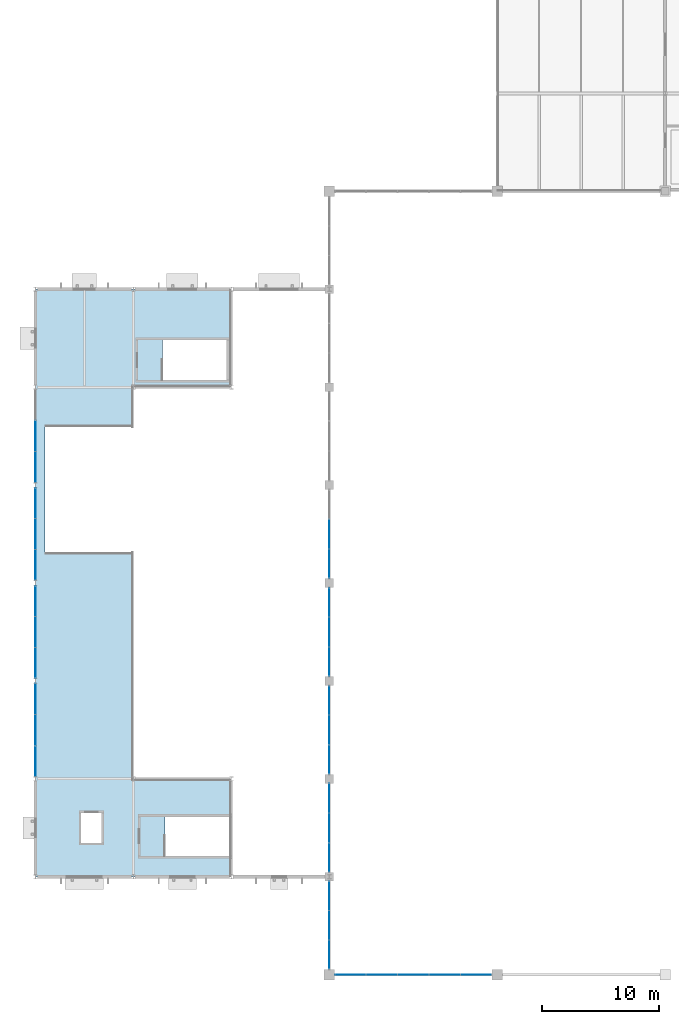
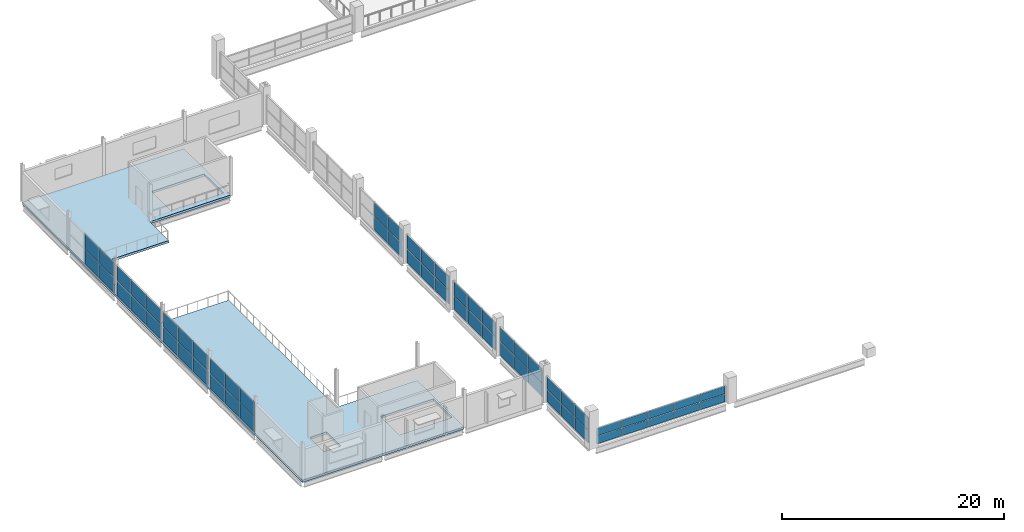
# One storey, part 53 of 68: 60 plates, 1 slab, 10 elements without a shape of their own.
"""IFC4 building model written with IfcOpenShell, lengths in metres."""

from ifc_helpers import new_model, si_unit, direction, frame, origin, origin_2d, place, context, subcontext, project, spatial, polyline, rectangle, outline, extrude, material, layer, layer_set, type_object, element, aggregate, save


model = new_model("IFC4")

# Units and contexts
model_context = context("Model", 3, precision=1e-05, world=origin(), true_north=direction((0.0, 1.0)))
body_context = subcontext(model_context, "Body", "Model", "MODEL_VIEW")
ifc_project = project(units=[si_unit("LENGTHUNIT", "METRE"), si_unit("AREAUNIT", "SQUARE_METRE"), si_unit("VOLUMEUNIT", "CUBIC_METRE"), si_unit("PLANEANGLEUNIT", "RADIAN"), si_unit("MASSUNIT", "GRAM", prefix="KILO"), si_unit("THERMODYNAMICTEMPERATUREUNIT", "KELVIN")], contexts=[model_context])

# Site, building, storey
site_placement = place(None, origin())
site = spatial("IfcSite", under=ifc_project, at=site_placement, CompositionType="ELEMENT")
building_placement = place(site_placement, origin())
building = spatial("IfcBuilding", under=site, at=building_placement, Name="Nduvali Passage Aquatics Centre", CompositionType="ELEMENT")
storey_placement = place(building_placement, frame((0.0, 0.0, 13.199951171875)))
storey = spatial("IfcBuildingStorey", under=building, at=storey_placement, Name="L03", CompositionType="ELEMENT", Elevation=13.199951171875)

# Curtain wall, plates
ifc_material_1 = material(Name="Aluminium EN AW-6063 T6", Category="aluminium")
curtain_wall_type_1 = type_object("IfcCurtainWallType", Name="ENV-CW-CLER", PredefinedType="NOTDEFINED", material=ifc_material_1)
curtain_wall_1_placement = place(storey_placement, origin())
curtain_wall_1 = element("IfcCurtainWall", 1, at=curtain_wall_1_placement, inside=storey, type_object=curtain_wall_type_1, Name="L03 West Pool Hall High Arch Clerestory 004", PredefinedType="NOTDEFINED")
ifc_material_2 = material(Name="Laminated solar-control low-E IGU")
ifc_layer_1 = layer(ifc_material_2, 0.031982421875, Name="Laminated solar-control low-E IGU")
ifc_layer_set_1 = layer_set([ifc_layer_1], Name="Laminated solar-control low-E IGU")
plate_type = type_object("IfcPlateType", Name="ENV-PLT-GLZ32", PredefinedType="CURTAIN_PANEL", material=ifc_layer_set_1)
plate_1_placement = place(storey_placement, frame((25.199951171875, 26.927490234375, 0.06005859375), z_axis=(0.0, 0.0, 1.0), x_axis=(0.0, 1.0, 0.0)))
plate_1 = element("IfcPlate", 2, at=plate_1_placement, type_object=plate_type, Name="West Pool Hall High Arch Clerestory Glazed Panel B1-R1", PredefinedType="CURTAIN_PANEL", context=body_context, shape_type="SweptSolid", body=[
    extrude(rectangle(XDim=2.43505859375, YDim=0.031982421875, at=origin_2d()), origin(), (0.0, 0.0, 1.0), 1.360107421875),
])
plate_2_placement = place(storey_placement, frame((25.199951171875, 26.927490234375, 1.47998046875), z_axis=(0.0, 0.0, 1.0), x_axis=(0.0, 1.0, 0.0)))
plate_2 = element("IfcPlate", 3, at=plate_2_placement, type_object=plate_type, Name="West Pool Hall High Arch Clerestory Glazed Panel B1-R2", PredefinedType="CURTAIN_PANEL", context=body_context, shape_type="SweptSolid", body=[
    extrude(rectangle(XDim=2.43505859375, YDim=0.031982421875, at=origin_2d()), origin(), (0.0, 0.0, 1.0), 1.360107421875),
])
plate_3_placement = place(storey_placement, frame((25.199951171875, 29.4375, 0.06005859375), z_axis=(0.0, 0.0, 1.0), x_axis=(0.0, 1.0, 0.0)))
plate_3 = element("IfcPlate", 4, at=plate_3_placement, type_object=plate_type, Name="West Pool Hall High Arch Clerestory Glazed Panel B2-R1", PredefinedType="CURTAIN_PANEL", context=body_context, shape_type="SweptSolid", body=[
    extrude(rectangle(XDim=2.465087890625, YDim=0.031982421875, at=origin_2d()), origin(), (0.0, 0.0, 1.0), 1.360107421875),
])
plate_4_placement = place(storey_placement, frame((25.199951171875, 29.4375, 1.47998046875), z_axis=(0.0, 0.0, 1.0), x_axis=(0.0, 1.0, 0.0)))
plate_4 = element("IfcPlate", 5, at=plate_4_placement, type_object=plate_type, Name="West Pool Hall High Arch Clerestory Glazed Panel B2-R2", PredefinedType="CURTAIN_PANEL", context=body_context, shape_type="SweptSolid", body=[
    extrude(rectangle(XDim=2.465087890625, YDim=0.031982421875, at=origin_2d()), origin(), (0.0, 0.0, 1.0), 1.360107421875),
])
plate_5_placement = place(storey_placement, frame((25.199951171875, 31.947509765625, 0.06005859375), z_axis=(0.0, 0.0, 1.0), x_axis=(0.0, 1.0, 0.0)))
plate_5 = element("IfcPlate", 6, at=plate_5_placement, type_object=plate_type, Name="West Pool Hall High Arch Clerestory Glazed Panel B3-R1", PredefinedType="CURTAIN_PANEL", context=body_context, shape_type="SweptSolid", body=[
    extrude(rectangle(XDim=2.43505859375, YDim=0.031982421875, at=origin_2d()), origin(), (0.0, 0.0, 1.0), 1.360107421875),
])
plate_6_placement = place(storey_placement, frame((25.199951171875, 31.947509765625, 1.47998046875), z_axis=(0.0, 0.0, 1.0), x_axis=(0.0, 1.0, 0.0)))
plate_6 = element("IfcPlate", 7, at=plate_6_placement, type_object=plate_type, Name="West Pool Hall High Arch Clerestory Glazed Panel B3-R2", PredefinedType="CURTAIN_PANEL", context=body_context, shape_type="SweptSolid", body=[
    extrude(rectangle(XDim=2.43505859375, YDim=0.031982421875, at=origin_2d()), origin(), (0.0, 0.0, 1.0), 1.360107421875),
])
aggregate(curtain_wall_1, [plate_1, plate_2, plate_3, plate_4, plate_5, plate_6])

curtain_wall_2_placement = place(storey_placement, origin())
curtain_wall_2 = element("IfcCurtainWall", 8, at=curtain_wall_2_placement, inside=storey, type_object=curtain_wall_type_1, Name="L03 West Pool Hall Upper Clerestory 005", PredefinedType="NOTDEFINED")
plate_7_placement = place(storey_placement, frame((25.199951171875, 35.264892578125, 0.06005859375), z_axis=(0.0, 0.0, 1.0), x_axis=(0.0, 1.0, 0.0)))
plate_7 = element("IfcPlate", 9, at=plate_7_placement, type_object=plate_type, Name="West Pool Hall Upper Clerestory Glazed Panel B1-R1", PredefinedType="CURTAIN_PANEL", context=body_context, shape_type="SweptSolid", body=[
    extrude(rectangle(XDim=2.4599609375, YDim=0.031982421875, at=origin_2d()), origin(), (0.0, 0.0, 1.0), 1.510009765625),
])
plate_8_placement = place(storey_placement, frame((25.199951171875, 35.264892578125, 1.6298828125), z_axis=(0.0, 0.0, 1.0), x_axis=(0.0, 1.0, 0.0)))
plate_8 = element("IfcPlate", 10, at=plate_8_placement, type_object=plate_type, Name="West Pool Hall Upper Clerestory Glazed Panel B1-R2", PredefinedType="CURTAIN_PANEL", context=body_context, shape_type="SweptSolid", body=[
    extrude(rectangle(XDim=2.4599609375, YDim=0.031982421875, at=origin_2d()), origin(), (0.0, 0.0, 1.0), 1.510009765625),
])
plate_9_placement = place(storey_placement, frame((25.199951171875, 37.800048828125, 0.06005859375), z_axis=(0.0, 0.0, 1.0), x_axis=(0.0, 1.0, 0.0)))
plate_9 = element("IfcPlate", 11, at=plate_9_placement, type_object=plate_type, Name="West Pool Hall Upper Clerestory Glazed Panel B2-R1", PredefinedType="CURTAIN_PANEL", context=body_context, shape_type="SweptSolid", body=[
    extrude(rectangle(XDim=2.489990234375, YDim=0.031982421875, at=origin_2d()), origin(), (0.0, 0.0, 1.0), 1.510009765625),
])
plate_10_placement = place(storey_placement, frame((25.199951171875, 37.800048828125, 1.6298828125), z_axis=(0.0, 0.0, 1.0), x_axis=(0.0, 1.0, 0.0)))
plate_10 = element("IfcPlate", 12, at=plate_10_placement, type_object=plate_type, Name="West Pool Hall Upper Clerestory Glazed Panel B2-R2", PredefinedType="CURTAIN_PANEL", context=body_context, shape_type="SweptSolid", body=[
    extrude(rectangle(XDim=2.489990234375, YDim=0.031982421875, at=origin_2d()), origin(), (0.0, 0.0, 1.0), 1.510009765625),
])
plate_11_placement = place(storey_placement, frame((25.199951171875, 40.3349609375, 0.06005859375), z_axis=(0.0, 0.0, 1.0), x_axis=(0.0, 1.0, 0.0)))
plate_11 = element("IfcPlate", 13, at=plate_11_placement, type_object=plate_type, Name="West Pool Hall Upper Clerestory Glazed Panel B3-R1", PredefinedType="CURTAIN_PANEL", context=body_context, shape_type="SweptSolid", body=[
    extrude(rectangle(XDim=2.4599609375, YDim=0.031982421875, at=origin_2d()), origin(), (0.0, 0.0, 1.0), 1.510009765625),
])
plate_12_placement = place(storey_placement, frame((25.199951171875, 40.3349609375, 1.6298828125), z_axis=(0.0, 0.0, 1.0), x_axis=(0.0, 1.0, 0.0)))
plate_12 = element("IfcPlate", 14, at=plate_12_placement, type_object=plate_type, Name="West Pool Hall Upper Clerestory Glazed Panel B3-R2", PredefinedType="CURTAIN_PANEL", context=body_context, shape_type="SweptSolid", body=[
    extrude(rectangle(XDim=2.4599609375, YDim=0.031982421875, at=origin_2d()), origin(), (0.0, 0.0, 1.0), 1.510009765625),
])
aggregate(curtain_wall_2, [plate_7, plate_8, plate_9, plate_10, plate_11, plate_12])

curtain_wall_3_placement = place(storey_placement, origin())
curtain_wall_3 = element("IfcCurtainWall", 15, at=curtain_wall_3_placement, inside=storey, type_object=curtain_wall_type_1, Name="L03 West Pool Hall Upper Clerestory 006", PredefinedType="NOTDEFINED")
plate_13_placement = place(storey_placement, frame((25.199951171875, 43.6650390625, 0.06005859375), z_axis=(0.0, 0.0, 1.0), x_axis=(0.0, 1.0, 0.0)))
plate_13 = element("IfcPlate", 16, at=plate_13_placement, type_object=plate_type, Name="West Pool Hall Upper Clerestory Glazed Panel B1-R1", PredefinedType="CURTAIN_PANEL", context=body_context, shape_type="SweptSolid", body=[
    extrude(rectangle(XDim=2.4599609375, YDim=0.031982421875, at=origin_2d()), origin(), (0.0, 0.0, 1.0), 1.510009765625),
])
plate_14_placement = place(storey_placement, frame((25.199951171875, 43.6650390625, 1.6298828125), z_axis=(0.0, 0.0, 1.0), x_axis=(0.0, 1.0, 0.0)))
plate_14 = element("IfcPlate", 17, at=plate_14_placement, type_object=plate_type, Name="West Pool Hall Upper Clerestory Glazed Panel B1-R2", PredefinedType="CURTAIN_PANEL", context=body_context, shape_type="SweptSolid", body=[
    extrude(rectangle(XDim=2.4599609375, YDim=0.031982421875, at=origin_2d()), origin(), (0.0, 0.0, 1.0), 1.510009765625),
])
plate_15_placement = place(storey_placement, frame((25.199951171875, 46.199951171875, 0.06005859375), z_axis=(0.0, 0.0, 1.0), x_axis=(0.0, 1.0, 0.0)))
plate_15 = element("IfcPlate", 18, at=plate_15_placement, type_object=plate_type, Name="West Pool Hall Upper Clerestory Glazed Panel B2-R1", PredefinedType="CURTAIN_PANEL", context=body_context, shape_type="SweptSolid", body=[
    extrude(rectangle(XDim=2.489990234375, YDim=0.031982421875, at=origin_2d()), origin(), (0.0, 0.0, 1.0), 1.510009765625),
])
plate_16_placement = place(storey_placement, frame((25.199951171875, 46.199951171875, 1.6298828125), z_axis=(0.0, 0.0, 1.0), x_axis=(0.0, 1.0, 0.0)))
plate_16 = element("IfcPlate", 19, at=plate_16_placement, type_object=plate_type, Name="West Pool Hall Upper Clerestory Glazed Panel B2-R2", PredefinedType="CURTAIN_PANEL", context=body_context, shape_type="SweptSolid", body=[
    extrude(rectangle(XDim=2.489990234375, YDim=0.031982421875, at=origin_2d()), origin(), (0.0, 0.0, 1.0), 1.510009765625),
])
plate_17_placement = place(storey_placement, frame((25.199951171875, 48.735107421875, 0.06005859375), z_axis=(0.0, 0.0, 1.0), x_axis=(0.0, 1.0, 0.0)))
plate_17 = element("IfcPlate", 20, at=plate_17_placement, type_object=plate_type, Name="West Pool Hall Upper Clerestory Glazed Panel B3-R1", PredefinedType="CURTAIN_PANEL", context=body_context, shape_type="SweptSolid", body=[
    extrude(rectangle(XDim=2.4599609375, YDim=0.031982421875, at=origin_2d()), origin(), (0.0, 0.0, 1.0), 1.510009765625),
])
plate_18_placement = place(storey_placement, frame((25.199951171875, 48.735107421875, 1.6298828125), z_axis=(0.0, 0.0, 1.0), x_axis=(0.0, 1.0, 0.0)))
plate_18 = element("IfcPlate", 21, at=plate_18_placement, type_object=plate_type, Name="West Pool Hall Upper Clerestory Glazed Panel B3-R2", PredefinedType="CURTAIN_PANEL", context=body_context, shape_type="SweptSolid", body=[
    extrude(rectangle(XDim=2.4599609375, YDim=0.031982421875, at=origin_2d()), origin(), (0.0, 0.0, 1.0), 1.510009765625),
])
aggregate(curtain_wall_3, [plate_13, plate_14, plate_15, plate_16, plate_17, plate_18])

curtain_wall_4_placement = place(storey_placement, origin())
curtain_wall_4 = element("IfcCurtainWall", 22, at=curtain_wall_4_placement, inside=storey, type_object=curtain_wall_type_1, Name="L03 West Pool Hall Upper Clerestory 007", PredefinedType="NOTDEFINED")
plate_19_placement = place(storey_placement, frame((25.199951171875, 52.06494140625, 0.06005859375), z_axis=(0.0, 0.0, 1.0), x_axis=(0.0, 1.0, 0.0)))
plate_19 = element("IfcPlate", 23, at=plate_19_placement, type_object=plate_type, Name="West Pool Hall Upper Clerestory Glazed Panel B1-R1", PredefinedType="CURTAIN_PANEL", context=body_context, shape_type="SweptSolid", body=[
    extrude(rectangle(XDim=2.4599609375, YDim=0.031982421875, at=origin_2d()), origin(), (0.0, 0.0, 1.0), 1.510009765625),
])
plate_20_placement = place(storey_placement, frame((25.199951171875, 52.06494140625, 1.6298828125), z_axis=(0.0, 0.0, 1.0), x_axis=(0.0, 1.0, 0.0)))
plate_20 = element("IfcPlate", 24, at=plate_20_placement, type_object=plate_type, Name="West Pool Hall Upper Clerestory Glazed Panel B1-R2", PredefinedType="CURTAIN_PANEL", context=body_context, shape_type="SweptSolid", body=[
    extrude(rectangle(XDim=2.4599609375, YDim=0.031982421875, at=origin_2d()), origin(), (0.0, 0.0, 1.0), 1.510009765625),
])
plate_21_placement = place(storey_placement, frame((25.199951171875, 54.60009765625, 0.06005859375), z_axis=(0.0, 0.0, 1.0), x_axis=(0.0, 1.0, 0.0)))
plate_21 = element("IfcPlate", 25, at=plate_21_placement, type_object=plate_type, Name="West Pool Hall Upper Clerestory Glazed Panel B2-R1", PredefinedType="CURTAIN_PANEL", context=body_context, shape_type="SweptSolid", body=[
    extrude(rectangle(XDim=2.489990234375, YDim=0.031982421875, at=origin_2d()), origin(), (0.0, 0.0, 1.0), 1.510009765625),
])
plate_22_placement = place(storey_placement, frame((25.199951171875, 54.60009765625, 1.6298828125), z_axis=(0.0, 0.0, 1.0), x_axis=(0.0, 1.0, 0.0)))
plate_22 = element("IfcPlate", 26, at=plate_22_placement, type_object=plate_type, Name="West Pool Hall Upper Clerestory Glazed Panel B2-R2", PredefinedType="CURTAIN_PANEL", context=body_context, shape_type="SweptSolid", body=[
    extrude(rectangle(XDim=2.489990234375, YDim=0.031982421875, at=origin_2d()), origin(), (0.0, 0.0, 1.0), 1.510009765625),
])
plate_23_placement = place(storey_placement, frame((25.199951171875, 57.135009765625, 0.06005859375), z_axis=(0.0, 0.0, 1.0), x_axis=(0.0, 1.0, 0.0)))
plate_23 = element("IfcPlate", 27, at=plate_23_placement, type_object=plate_type, Name="West Pool Hall Upper Clerestory Glazed Panel B3-R1", PredefinedType="CURTAIN_PANEL", context=body_context, shape_type="SweptSolid", body=[
    extrude(rectangle(XDim=2.4599609375, YDim=0.031982421875, at=origin_2d()), origin(), (0.0, 0.0, 1.0), 1.510009765625),
])
plate_24_placement = place(storey_placement, frame((25.199951171875, 57.135009765625, 1.6298828125), z_axis=(0.0, 0.0, 1.0), x_axis=(0.0, 1.0, 0.0)))
plate_24 = element("IfcPlate", 28, at=plate_24_placement, type_object=plate_type, Name="West Pool Hall Upper Clerestory Glazed Panel B3-R2", PredefinedType="CURTAIN_PANEL", context=body_context, shape_type="SweptSolid", body=[
    extrude(rectangle(XDim=2.4599609375, YDim=0.031982421875, at=origin_2d()), origin(), (0.0, 0.0, 1.0), 1.510009765625),
])
aggregate(curtain_wall_4, [plate_19, plate_20, plate_21, plate_22, plate_23, plate_24])

curtain_wall_5_placement = place(storey_placement, origin())
curtain_wall_5 = element("IfcCurtainWall", 29, at=curtain_wall_5_placement, inside=storey, type_object=curtain_wall_type_1, Name="L03 West Pool Hall Upper Clerestory 008", PredefinedType="NOTDEFINED")
plate_25_placement = place(storey_placement, frame((25.199951171875, 60.465087890625, 0.06005859375), z_axis=(0.0, 0.0, 1.0), x_axis=(0.0, 1.0, 0.0)))
plate_25 = element("IfcPlate", 30, at=plate_25_placement, type_object=plate_type, Name="West Pool Hall Upper Clerestory Glazed Panel B1-R1", PredefinedType="CURTAIN_PANEL", context=body_context, shape_type="SweptSolid", body=[
    extrude(rectangle(XDim=2.4599609375, YDim=0.031982421875, at=origin_2d()), origin(), (0.0, 0.0, 1.0), 1.510009765625),
])
plate_26_placement = place(storey_placement, frame((25.199951171875, 60.465087890625, 1.6298828125), z_axis=(0.0, 0.0, 1.0), x_axis=(0.0, 1.0, 0.0)))
plate_26 = element("IfcPlate", 31, at=plate_26_placement, type_object=plate_type, Name="West Pool Hall Upper Clerestory Glazed Panel B1-R2", PredefinedType="CURTAIN_PANEL", context=body_context, shape_type="SweptSolid", body=[
    extrude(rectangle(XDim=2.4599609375, YDim=0.031982421875, at=origin_2d()), origin(), (0.0, 0.0, 1.0), 1.510009765625),
])
plate_27_placement = place(storey_placement, frame((25.199951171875, 63.0, 0.06005859375), z_axis=(0.0, 0.0, 1.0), x_axis=(0.0, 1.0, 0.0)))
plate_27 = element("IfcPlate", 32, at=plate_27_placement, type_object=plate_type, Name="West Pool Hall Upper Clerestory Glazed Panel B2-R1", PredefinedType="CURTAIN_PANEL", context=body_context, shape_type="SweptSolid", body=[
    extrude(rectangle(XDim=2.489990234375, YDim=0.031982421875, at=origin_2d()), origin(), (0.0, 0.0, 1.0), 1.510009765625),
])
plate_28_placement = place(storey_placement, frame((25.199951171875, 63.0, 1.6298828125), z_axis=(0.0, 0.0, 1.0), x_axis=(0.0, 1.0, 0.0)))
plate_28 = element("IfcPlate", 33, at=plate_28_placement, type_object=plate_type, Name="West Pool Hall Upper Clerestory Glazed Panel B2-R2", PredefinedType="CURTAIN_PANEL", context=body_context, shape_type="SweptSolid", body=[
    extrude(rectangle(XDim=2.489990234375, YDim=0.031982421875, at=origin_2d()), origin(), (0.0, 0.0, 1.0), 1.510009765625),
])
aggregate(curtain_wall_5, [plate_25, plate_26, plate_27, plate_28])

curtain_wall_6_placement = place(storey_placement, origin())
curtain_wall_6 = element("IfcCurtainWall", 34, at=curtain_wall_6_placement, inside=storey, type_object=curtain_wall_type_1, Name="L03 South Pool Hall High Eave Clerestory 046", PredefinedType="NOTDEFINED")
plate_29_placement = place(storey_placement, frame((27.014892578125, 25.199951171875, 0.06005859375), z_axis=(0.0, 0.0, 1.0), x_axis=(1.0, 0.0, 0.0)))
plate_29 = element("IfcPlate", 35, at=plate_29_placement, type_object=plate_type, Name="South Pool Hall High Eave Clerestory Glazed Panel B1-R1", PredefinedType="CURTAIN_PANEL", context=body_context, shape_type="SweptSolid", body=[
    extrude(rectangle(XDim=2.610107421875, YDim=0.031982421875, at=origin_2d()), origin(), (0.0, 0.0, 1.0), 0.820556640625),
])
plate_30_placement = place(storey_placement, frame((27.014892578125, 25.199951171875, 0.9404296875), z_axis=(0.0, 0.0, 1.0), x_axis=(1.0, 0.0, 0.0)))
plate_30 = element("IfcPlate", 36, at=plate_30_placement, type_object=plate_type, Name="South Pool Hall High Eave Clerestory Glazed Panel B1-R2", PredefinedType="CURTAIN_PANEL", context=body_context, shape_type="SweptSolid", body=[
    extrude(rectangle(XDim=2.610107421875, YDim=0.031982421875, at=origin_2d()), origin(), (0.0, 0.0, 1.0), 0.820556640625),
])
plate_31_placement = place(storey_placement, frame((29.699951171875, 25.199951171875, 0.06005859375), z_axis=(0.0, 0.0, 1.0), x_axis=(1.0, 0.0, 0.0)))
plate_31 = element("IfcPlate", 37, at=plate_31_placement, type_object=plate_type, Name="South Pool Hall High Eave Clerestory Glazed Panel B2-R1", PredefinedType="CURTAIN_PANEL", context=body_context, shape_type="SweptSolid", body=[
    extrude(rectangle(XDim=2.639892578125, YDim=0.031982421875, at=origin_2d()), origin(), (0.0, 0.0, 1.0), 0.820556640625),
])
plate_32_placement = place(storey_placement, frame((29.699951171875, 25.199951171875, 0.9404296875), z_axis=(0.0, 0.0, 1.0), x_axis=(1.0, 0.0, 0.0)))
plate_32 = element("IfcPlate", 38, at=plate_32_placement, type_object=plate_type, Name="South Pool Hall High Eave Clerestory Glazed Panel B2-R2", PredefinedType="CURTAIN_PANEL", context=body_context, shape_type="SweptSolid", body=[
    extrude(rectangle(XDim=2.639892578125, YDim=0.031982421875, at=origin_2d()), origin(), (0.0, 0.0, 1.0), 0.820556640625),
])
plate_33_placement = place(storey_placement, frame((32.39990234375, 25.199951171875, 0.06005859375), z_axis=(0.0, 0.0, 1.0), x_axis=(1.0, 0.0, 0.0)))
plate_33 = element("IfcPlate", 39, at=plate_33_placement, type_object=plate_type, Name="South Pool Hall High Eave Clerestory Glazed Panel B3-R1", PredefinedType="CURTAIN_PANEL", context=body_context, shape_type="SweptSolid", body=[
    extrude(rectangle(XDim=2.639892578125, YDim=0.031982421875, at=origin_2d()), origin(), (0.0, 0.0, 1.0), 0.820556640625),
])
plate_34_placement = place(storey_placement, frame((32.39990234375, 25.199951171875, 0.9404296875), z_axis=(0.0, 0.0, 1.0), x_axis=(1.0, 0.0, 0.0)))
plate_34 = element("IfcPlate", 40, at=plate_34_placement, type_object=plate_type, Name="South Pool Hall High Eave Clerestory Glazed Panel B3-R2", PredefinedType="CURTAIN_PANEL", context=body_context, shape_type="SweptSolid", body=[
    extrude(rectangle(XDim=2.639892578125, YDim=0.031982421875, at=origin_2d()), origin(), (0.0, 0.0, 1.0), 0.820556640625),
])
plate_35_placement = place(storey_placement, frame((35.10009765625, 25.199951171875, 0.06005859375), z_axis=(0.0, 0.0, 1.0), x_axis=(1.0, 0.0, 0.0)))
plate_35 = element("IfcPlate", 41, at=plate_35_placement, type_object=plate_type, Name="South Pool Hall High Eave Clerestory Glazed Panel B4-R1", PredefinedType="CURTAIN_PANEL", context=body_context, shape_type="SweptSolid", body=[
    extrude(rectangle(XDim=2.639892578125, YDim=0.031982421875, at=origin_2d()), origin(), (0.0, 0.0, 1.0), 0.820556640625),
])
plate_36_placement = place(storey_placement, frame((35.10009765625, 25.199951171875, 0.9404296875), z_axis=(0.0, 0.0, 1.0), x_axis=(1.0, 0.0, 0.0)))
plate_36 = element("IfcPlate", 42, at=plate_36_placement, type_object=plate_type, Name="South Pool Hall High Eave Clerestory Glazed Panel B4-R2", PredefinedType="CURTAIN_PANEL", context=body_context, shape_type="SweptSolid", body=[
    extrude(rectangle(XDim=2.639892578125, YDim=0.031982421875, at=origin_2d()), origin(), (0.0, 0.0, 1.0), 0.820556640625),
])
plate_37_placement = place(storey_placement, frame((37.784912109375, 25.199951171875, 0.06005859375), z_axis=(0.0, 0.0, 1.0), x_axis=(1.0, 0.0, 0.0)))
plate_37 = element("IfcPlate", 43, at=plate_37_placement, type_object=plate_type, Name="South Pool Hall High Eave Clerestory Glazed Panel B5-R1", PredefinedType="CURTAIN_PANEL", context=body_context, shape_type="SweptSolid", body=[
    extrude(rectangle(XDim=2.610107421875, YDim=0.031982421875, at=origin_2d()), origin(), (0.0, 0.0, 1.0), 0.820556640625),
])
plate_38_placement = place(storey_placement, frame((37.784912109375, 25.199951171875, 0.9404296875), z_axis=(0.0, 0.0, 1.0), x_axis=(1.0, 0.0, 0.0)))
plate_38 = element("IfcPlate", 44, at=plate_38_placement, type_object=plate_type, Name="South Pool Hall High Eave Clerestory Glazed Panel B5-R2", PredefinedType="CURTAIN_PANEL", context=body_context, shape_type="SweptSolid", body=[
    extrude(rectangle(XDim=2.610107421875, YDim=0.031982421875, at=origin_2d()), origin(), (0.0, 0.0, 1.0), 0.820556640625),
])
aggregate(curtain_wall_6, [plate_29, plate_30, plate_31, plate_32, plate_33, plate_34, plate_35, plate_36, plate_37, plate_38])

curtain_wall_type_2 = type_object("IfcCurtainWallType", Name="ENV-CW-DIVE", PredefinedType="NOTDEFINED", material=ifc_material_1)
curtain_wall_7_placement = place(storey_placement, origin())
curtain_wall_7 = element("IfcCurtainWall", 45, at=curtain_wall_7_placement, inside=storey, type_object=curtain_wall_type_2, Name="L03 West Diving 10m Tower Clerestory CW 130", PredefinedType="NOTDEFINED")
plate_39_placement = place(storey_placement, frame((0.0, 43.523193359375, 0.06005859375), z_axis=(0.0, 0.0, 1.0), x_axis=(0.0, 1.0, 0.0)))
plate_39 = element("IfcPlate", 46, at=plate_39_placement, type_object=plate_type, Name="West Diving 10m Tower Clerestory CW Glazed Panel B1-R1", PredefinedType="CURTAIN_PANEL", context=body_context, shape_type="SweptSolid", body=[
    extrude(rectangle(XDim=2.586669921875, YDim=0.031982421875, at=origin_2d()), origin(), (0.0, 0.0, 1.0), 1.623291015625),
])
plate_40_placement = place(storey_placement, frame((0.0, 43.523193359375, 1.7431640625), z_axis=(0.0, 0.0, 1.0), x_axis=(0.0, 1.0, 0.0)))
plate_40 = element("IfcPlate", 47, at=plate_40_placement, type_object=plate_type, Name="West Diving 10m Tower Clerestory CW Glazed Panel B1-R2", PredefinedType="CURTAIN_PANEL", context=body_context, shape_type="SweptSolid", body=[
    extrude(rectangle(XDim=2.586669921875, YDim=0.031982421875, at=origin_2d()), origin(), (0.0, 0.0, 1.0), 1.623291015625),
])
plate_41_placement = place(storey_placement, frame((0.0, 46.18505859375, 0.06005859375), z_axis=(0.0, 0.0, 1.0), x_axis=(0.0, 1.0, 0.0)))
plate_41 = element("IfcPlate", 48, at=plate_41_placement, type_object=plate_type, Name="West Diving 10m Tower Clerestory CW Glazed Panel B2-R1", PredefinedType="CURTAIN_PANEL", context=body_context, shape_type="SweptSolid", body=[
    extrude(rectangle(XDim=2.61669921875, YDim=0.031982421875, at=origin_2d()), origin(), (0.0, 0.0, 1.0), 1.623291015625),
])
plate_42_placement = place(storey_placement, frame((0.0, 46.18505859375, 1.7431640625), z_axis=(0.0, 0.0, 1.0), x_axis=(0.0, 1.0, 0.0)))
plate_42 = element("IfcPlate", 49, at=plate_42_placement, type_object=plate_type, Name="West Diving 10m Tower Clerestory CW Glazed Panel B2-R2", PredefinedType="CURTAIN_PANEL", context=body_context, shape_type="SweptSolid", body=[
    extrude(rectangle(XDim=2.61669921875, YDim=0.031982421875, at=origin_2d()), origin(), (0.0, 0.0, 1.0), 1.623291015625),
])
plate_43_placement = place(storey_placement, frame((0.0, 48.8466796875, 0.06005859375), z_axis=(0.0, 0.0, 1.0), x_axis=(0.0, 1.0, 0.0)))
plate_43 = element("IfcPlate", 50, at=plate_43_placement, type_object=plate_type, Name="West Diving 10m Tower Clerestory CW Glazed Panel B3-R1", PredefinedType="CURTAIN_PANEL", context=body_context, shape_type="SweptSolid", body=[
    extrude(rectangle(XDim=2.586669921875, YDim=0.031982421875, at=origin_2d()), origin(), (0.0, 0.0, 1.0), 1.623291015625),
])
plate_44_placement = place(storey_placement, frame((0.0, 48.8466796875, 1.7431640625), z_axis=(0.0, 0.0, 1.0), x_axis=(0.0, 1.0, 0.0)))
plate_44 = element("IfcPlate", 51, at=plate_44_placement, type_object=plate_type, Name="West Diving 10m Tower Clerestory CW Glazed Panel B3-R2", PredefinedType="CURTAIN_PANEL", context=body_context, shape_type="SweptSolid", body=[
    extrude(rectangle(XDim=2.586669921875, YDim=0.031982421875, at=origin_2d()), origin(), (0.0, 0.0, 1.0), 1.623291015625),
])
aggregate(curtain_wall_7, [plate_39, plate_40, plate_41, plate_42, plate_43, plate_44])

curtain_wall_8_placement = place(storey_placement, origin())
curtain_wall_8 = element("IfcCurtainWall", 52, at=curtain_wall_8_placement, inside=storey, type_object=curtain_wall_type_2, Name="L03 West Diving 10m Tower Clerestory CW 135", PredefinedType="NOTDEFINED")
plate_45_placement = place(storey_placement, frame((0.0, 51.9482421875, 0.06005859375), z_axis=(0.0, 0.0, 1.0), x_axis=(0.0, 1.0, 0.0)))
plate_45 = element("IfcPlate", 53, at=plate_45_placement, type_object=plate_type, Name="West Diving 10m Tower Clerestory CW Glazed Panel B1-R1", PredefinedType="CURTAIN_PANEL", context=body_context, shape_type="SweptSolid", body=[
    extrude(rectangle(XDim=2.57666015625, YDim=0.031982421875, at=origin_2d()), origin(), (0.0, 0.0, 1.0), 1.623291015625),
])
plate_46_placement = place(storey_placement, frame((0.0, 51.9482421875, 1.7431640625), z_axis=(0.0, 0.0, 1.0), x_axis=(0.0, 1.0, 0.0)))
plate_46 = element("IfcPlate", 54, at=plate_46_placement, type_object=plate_type, Name="West Diving 10m Tower Clerestory CW Glazed Panel B1-R2", PredefinedType="CURTAIN_PANEL", context=body_context, shape_type="SweptSolid", body=[
    extrude(rectangle(XDim=2.57666015625, YDim=0.031982421875, at=origin_2d()), origin(), (0.0, 0.0, 1.0), 1.623291015625),
])
plate_47_placement = place(storey_placement, frame((0.0, 54.60009765625, 0.06005859375), z_axis=(0.0, 0.0, 1.0), x_axis=(0.0, 1.0, 0.0)))
plate_47 = element("IfcPlate", 55, at=plate_47_placement, type_object=plate_type, Name="West Diving 10m Tower Clerestory CW Glazed Panel B2-R1", PredefinedType="CURTAIN_PANEL", context=body_context, shape_type="SweptSolid", body=[
    extrude(rectangle(XDim=2.606689453125, YDim=0.031982421875, at=origin_2d()), origin(), (0.0, 0.0, 1.0), 1.623291015625),
])
plate_48_placement = place(storey_placement, frame((0.0, 54.60009765625, 1.7431640625), z_axis=(0.0, 0.0, 1.0), x_axis=(0.0, 1.0, 0.0)))
plate_48 = element("IfcPlate", 56, at=plate_48_placement, type_object=plate_type, Name="West Diving 10m Tower Clerestory CW Glazed Panel B2-R2", PredefinedType="CURTAIN_PANEL", context=body_context, shape_type="SweptSolid", body=[
    extrude(rectangle(XDim=2.606689453125, YDim=0.031982421875, at=origin_2d()), origin(), (0.0, 0.0, 1.0), 1.623291015625),
])
plate_49_placement = place(storey_placement, frame((0.0, 57.251708984375, 0.06005859375), z_axis=(0.0, 0.0, 1.0), x_axis=(0.0, 1.0, 0.0)))
plate_49 = element("IfcPlate", 57, at=plate_49_placement, type_object=plate_type, Name="West Diving 10m Tower Clerestory CW Glazed Panel B3-R1", PredefinedType="CURTAIN_PANEL", context=body_context, shape_type="SweptSolid", body=[
    extrude(rectangle(XDim=2.57666015625, YDim=0.031982421875, at=origin_2d()), origin(), (0.0, 0.0, 1.0), 1.623291015625),
])
plate_50_placement = place(storey_placement, frame((0.0, 57.251708984375, 1.7431640625), z_axis=(0.0, 0.0, 1.0), x_axis=(0.0, 1.0, 0.0)))
plate_50 = element("IfcPlate", 58, at=plate_50_placement, type_object=plate_type, Name="West Diving 10m Tower Clerestory CW Glazed Panel B3-R2", PredefinedType="CURTAIN_PANEL", context=body_context, shape_type="SweptSolid", body=[
    extrude(rectangle(XDim=2.57666015625, YDim=0.031982421875, at=origin_2d()), origin(), (0.0, 0.0, 1.0), 1.623291015625),
])
aggregate(curtain_wall_8, [plate_45, plate_46, plate_47, plate_48, plate_49, plate_50])

curtain_wall_9_placement = place(storey_placement, origin())
curtain_wall_9 = element("IfcCurtainWall", 59, at=curtain_wall_9_placement, inside=storey, type_object=curtain_wall_type_2, Name="L03 West Diving 10m Tower Clerestory CW 140", PredefinedType="NOTDEFINED")
plate_51_placement = place(storey_placement, frame((0.0, 60.348388671875, 0.06005859375), z_axis=(0.0, 0.0, 1.0), x_axis=(0.0, 1.0, 0.0)))
plate_51 = element("IfcPlate", 60, at=plate_51_placement, type_object=plate_type, Name="West Diving 10m Tower Clerestory CW Glazed Panel B1-R1", PredefinedType="CURTAIN_PANEL", context=body_context, shape_type="SweptSolid", body=[
    extrude(rectangle(XDim=2.57666015625, YDim=0.031982421875, at=origin_2d()), origin(), (0.0, 0.0, 1.0), 1.623291015625),
])
plate_52_placement = place(storey_placement, frame((0.0, 60.348388671875, 1.7431640625), z_axis=(0.0, 0.0, 1.0), x_axis=(0.0, 1.0, 0.0)))
plate_52 = element("IfcPlate", 61, at=plate_52_placement, type_object=plate_type, Name="West Diving 10m Tower Clerestory CW Glazed Panel B1-R2", PredefinedType="CURTAIN_PANEL", context=body_context, shape_type="SweptSolid", body=[
    extrude(rectangle(XDim=2.57666015625, YDim=0.031982421875, at=origin_2d()), origin(), (0.0, 0.0, 1.0), 1.623291015625),
])
plate_53_placement = place(storey_placement, frame((0.0, 63.0, 0.06005859375), z_axis=(0.0, 0.0, 1.0), x_axis=(0.0, 1.0, 0.0)))
plate_53 = element("IfcPlate", 62, at=plate_53_placement, type_object=plate_type, Name="West Diving 10m Tower Clerestory CW Glazed Panel B2-R1", PredefinedType="CURTAIN_PANEL", context=body_context, shape_type="SweptSolid", body=[
    extrude(rectangle(XDim=2.606689453125, YDim=0.031982421875, at=origin_2d()), origin(), (0.0, 0.0, 1.0), 1.623291015625),
])
plate_54_placement = place(storey_placement, frame((0.0, 63.0, 1.7431640625), z_axis=(0.0, 0.0, 1.0), x_axis=(0.0, 1.0, 0.0)))
plate_54 = element("IfcPlate", 63, at=plate_54_placement, type_object=plate_type, Name="West Diving 10m Tower Clerestory CW Glazed Panel B2-R2", PredefinedType="CURTAIN_PANEL", context=body_context, shape_type="SweptSolid", body=[
    extrude(rectangle(XDim=2.606689453125, YDim=0.031982421875, at=origin_2d()), origin(), (0.0, 0.0, 1.0), 1.623291015625),
])
plate_55_placement = place(storey_placement, frame((0.0, 65.651611328125, 0.06005859375), z_axis=(0.0, 0.0, 1.0), x_axis=(0.0, 1.0, 0.0)))
plate_55 = element("IfcPlate", 64, at=plate_55_placement, type_object=plate_type, Name="West Diving 10m Tower Clerestory CW Glazed Panel B3-R1", PredefinedType="CURTAIN_PANEL", context=body_context, shape_type="SweptSolid", body=[
    extrude(rectangle(XDim=2.57666015625, YDim=0.031982421875, at=origin_2d()), origin(), (0.0, 0.0, 1.0), 1.623291015625),
])
plate_56_placement = place(storey_placement, frame((0.0, 65.651611328125, 1.7431640625), z_axis=(0.0, 0.0, 1.0), x_axis=(0.0, 1.0, 0.0)))
plate_56 = element("IfcPlate", 65, at=plate_56_placement, type_object=plate_type, Name="West Diving 10m Tower Clerestory CW Glazed Panel B3-R2", PredefinedType="CURTAIN_PANEL", context=body_context, shape_type="SweptSolid", body=[
    extrude(rectangle(XDim=2.57666015625, YDim=0.031982421875, at=origin_2d()), origin(), (0.0, 0.0, 1.0), 1.623291015625),
])
aggregate(curtain_wall_9, [plate_51, plate_52, plate_53, plate_54, plate_55, plate_56])

curtain_wall_10_placement = place(storey_placement, origin())
curtain_wall_10 = element("IfcCurtainWall", 66, at=curtain_wall_10_placement, inside=storey, type_object=curtain_wall_type_2, Name="L03 West Diving 10m Tower Clerestory CW 145", PredefinedType="NOTDEFINED")
plate_57_placement = place(storey_placement, frame((0.0, 68.75341796875, 0.06005859375), z_axis=(0.0, 0.0, 1.0), x_axis=(0.0, 1.0, 0.0)))
plate_57 = element("IfcPlate", 67, at=plate_57_placement, type_object=plate_type, Name="West Diving 10m Tower Clerestory CW Glazed Panel B1-R1", PredefinedType="CURTAIN_PANEL", context=body_context, shape_type="SweptSolid", body=[
    extrude(rectangle(XDim=2.586669921875, YDim=0.031982421875, at=origin_2d()), origin(), (0.0, 0.0, 1.0), 1.623291015625),
])
plate_58_placement = place(storey_placement, frame((0.0, 68.75341796875, 1.7431640625), z_axis=(0.0, 0.0, 1.0), x_axis=(0.0, 1.0, 0.0)))
plate_58 = element("IfcPlate", 68, at=plate_58_placement, type_object=plate_type, Name="West Diving 10m Tower Clerestory CW Glazed Panel B1-R2", PredefinedType="CURTAIN_PANEL", context=body_context, shape_type="SweptSolid", body=[
    extrude(rectangle(XDim=2.586669921875, YDim=0.031982421875, at=origin_2d()), origin(), (0.0, 0.0, 1.0), 1.623291015625),
])
plate_59_placement = place(storey_placement, frame((0.0, 71.4150390625, 0.06005859375), z_axis=(0.0, 0.0, 1.0), x_axis=(0.0, 1.0, 0.0)))
plate_59 = element("IfcPlate", 69, at=plate_59_placement, type_object=plate_type, Name="West Diving 10m Tower Clerestory CW Glazed Panel B2-R1", PredefinedType="CURTAIN_PANEL", context=body_context, shape_type="SweptSolid", body=[
    extrude(rectangle(XDim=2.61669921875, YDim=0.031982421875, at=origin_2d()), origin(), (0.0, 0.0, 1.0), 1.623291015625),
])
plate_60_placement = place(storey_placement, frame((0.0, 71.4150390625, 1.7431640625), z_axis=(0.0, 0.0, 1.0), x_axis=(0.0, 1.0, 0.0)))
plate_60 = element("IfcPlate", 70, at=plate_60_placement, type_object=plate_type, Name="West Diving 10m Tower Clerestory CW Glazed Panel B2-R2", PredefinedType="CURTAIN_PANEL", context=body_context, shape_type="SweptSolid", body=[
    extrude(rectangle(XDim=2.61669921875, YDim=0.031982421875, at=origin_2d()), origin(), (0.0, 0.0, 1.0), 1.623291015625),
])
aggregate(curtain_wall_10, [plate_57, plate_58, plate_59, plate_60])

# Slab
ifc_material_3 = material(Name="Concrete C40/50", Category="concrete")
ifc_layer_2 = layer(ifc_material_3, 0.25, Name="Concrete C40/50")
ifc_layer_set_2 = layer_set([ifc_layer_2], Name="Concrete C40/50")
slab_type = type_object("IfcSlabType", Name="STR-SLB-FLR250", PredefinedType="FLOOR", material=ifc_layer_set_2)
slab_placement = place(storey_placement, frame((0.0, 0.0, -0.25)))
element("IfcSlab", 71, at=slab_placement, inside=storey, type_object=slab_type, Name="L03 High Diving Tower Access Gallery Slab", PredefinedType="FLOOR", context=body_context, shape_type="SweptSolid", body=[
    extrude(outline(polyline([(0.0, 33.60009765625), (16.800048828125, 33.60009765625), (16.800048828125, 42.0), (8.39990234375, 42.0), (8.39990234375, 61.39990234375), (0.800048828125, 61.39990234375), (0.800048828125, 72.199951171875), (8.39990234375, 72.199951171875), (8.39990234375, 75.60009765625), (16.800048828125, 75.60009765625), (16.800048828125, 84.0), (0.0, 84.0), (0.0, 33.60009765625)]), holes=[polyline([(11.10009765625, 35.39990234375), (16.60009765625, 35.39990234375), (16.60009765625, 38.75), (11.10009765625, 38.75), (11.10009765625, 35.39990234375)]), polyline([(10.89990234375, 76.199951171875), (16.39990234375, 76.199951171875), (16.39990234375, 79.6298828125), (10.89990234375, 79.6298828125), (10.89990234375, 76.199951171875)]), polyline([(3.919921875, 36.52001953125), (5.679931640625, 36.52001953125), (5.679931640625, 39.080078125), (3.919921875, 39.080078125), (3.919921875, 36.52001953125)])]), origin(), (0.0, 0.0, 1.0), 0.25),
])

save(model, "model.ifc")
